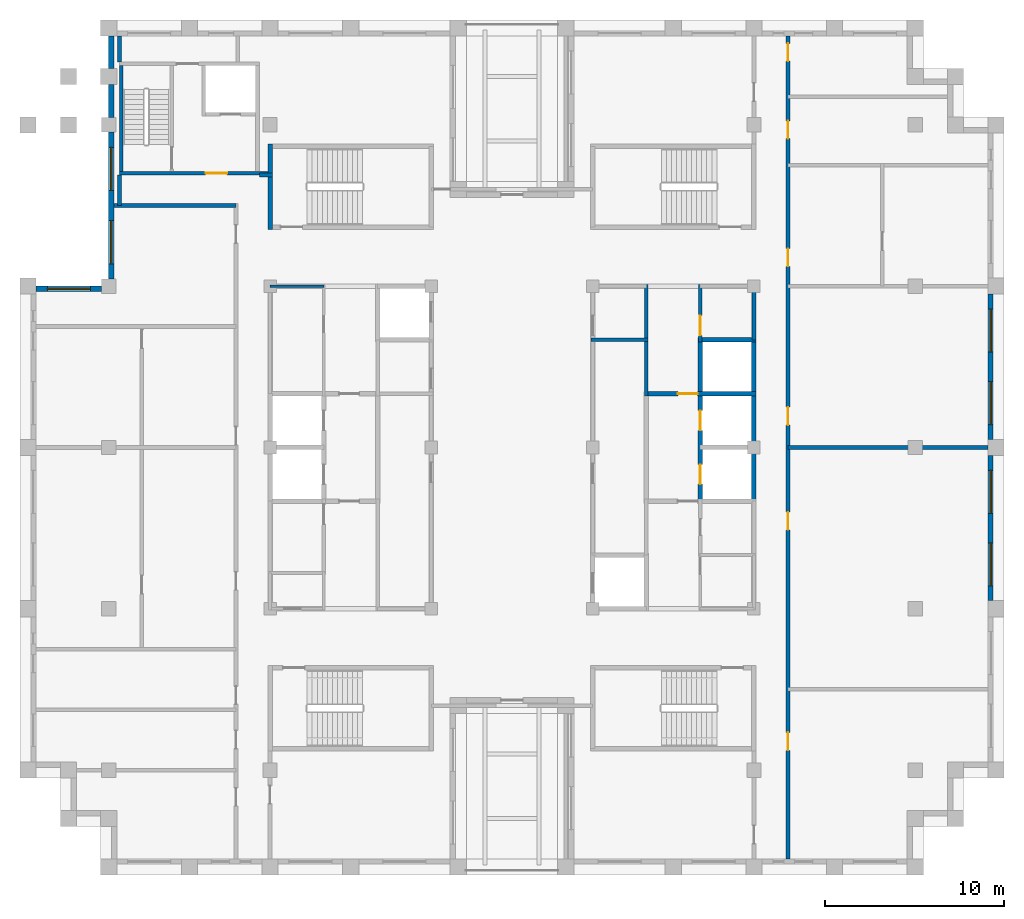
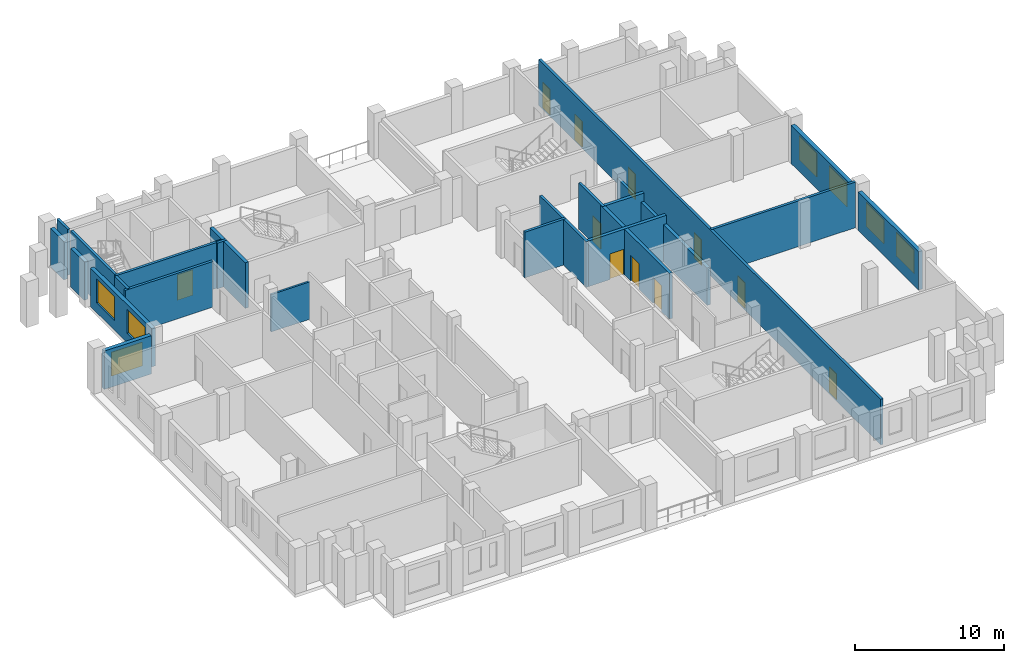
# One storey, part 5 of 9: 24 walls, 11 doors, 7 windows, 18 openings.
"""IFC4 building model written with IfcOpenShell, lengths in metres."""

from ifc_helpers import new_model, si_unit, direction, frame, frame_2d, origin, place, context, subcontext, project, spatial, rectangle, extrude, material, layer, layer_set, type_object, element, fill, save


model = new_model("IFC4")

# Units and contexts
model_context = context("Model", 3, precision=1e-05, world=origin(), true_north=direction((0.0, 1.0)))
body_context = subcontext(model_context, "Body", "Model", "MODEL_VIEW")
ifc_project = project(units=[si_unit("LENGTHUNIT", "METRE"), si_unit("AREAUNIT", "SQUARE_METRE"), si_unit("VOLUMEUNIT", "CUBIC_METRE"), si_unit("PLANEANGLEUNIT", "RADIAN"), si_unit("MASSUNIT", "GRAM", prefix="KILO")], contexts=[model_context])

# Site, building, storey
site_placement = place(None, origin())
site = spatial("IfcSite", under=ifc_project, at=site_placement, CompositionType="ELEMENT")
building_placement = place(site_placement, origin())
building = spatial("IfcBuilding", under=site, at=building_placement, Name="Corbelhall Arena Tower", CompositionType="ELEMENT")
storey_placement = place(building_placement, frame((0.0, 0.0, 300.0)))
storey = spatial("IfcBuildingStorey", under=building, at=storey_placement, Name="L65", CompositionType="ELEMENT", Elevation=300.0)

# Wall, openings, windows
ifc_material_1 = material(Name="Precast concrete C40/50 with granite facing", Category="masonry")
ifc_layer_1 = layer(ifc_material_1, 0.300048828125)
ifc_layer_set_1 = layer_set([ifc_layer_1], Name="EV-IW1 Infill panel 300")
wall_type_1 = type_object("IfcWallType", Name="EV-IW1 Infill panel 300", PredefinedType="SOLIDWALL", material=ifc_layer_set_1)
wall_1_placement = place(storey_placement, frame((26.699951171875, -8.550048828125, 0.0), z_axis=(0.0, 0.0, 1.0), x_axis=(0.0, 1.0, 0.0)))
wall_1 = element("IfcWall", 1, at=wall_1_placement, inside=storey, type_object=wall_type_1, Name="Infill panel IW1", PredefinedType="SOLIDWALL", context=body_context, shape_type="SweptSolid", body=[
    extrude(rectangle(XDim=8.10009765625, YDim=0.300048828125, at=frame_2d((4.050048828125, 0.0))), origin(), (0.0, 0.0, 1.0), 3.139892578125),
])
opening_1_placement = place(wall_1_placement, frame((0.824951171875, 0.0, 0.800048828125)))
opening_1 = element("IfcOpeningElement", 2, at=opening_1_placement, cuts=wall_1, Name="Opening WN1", PredefinedType="OPENING", context=body_context, shape_type="SweptSolid", body=[
    extrude(rectangle(XDim=2.39990234375, YDim=1.949951171875, at=frame_2d((1.199951171875, 0.97509765625))), frame((0.0, 0.14990234375, 0.0), z_axis=(0.0, -1.0, 0.0), x_axis=(1.0, 0.0, 0.0)), (0.0, 0.0, 1.0), 0.300048828125),
])
opening_2_placement = place(wall_1_placement, frame((4.875, 0.0, 0.800048828125)))
opening_2 = element("IfcOpeningElement", 3, at=opening_2_placement, cuts=wall_1, Name="Opening WN1", PredefinedType="OPENING", context=body_context, shape_type="SweptSolid", body=[
    extrude(rectangle(XDim=2.39990234375, YDim=1.949951171875, at=frame_2d((1.199951171875, 0.97509765625))), frame((0.0, 0.14990234375, 0.0), z_axis=(0.0, -1.0, 0.0), x_axis=(1.0, 0.0, 0.0)), (0.0, 0.0, 1.0), 0.300048828125),
])
ifc_material_2 = material(Name="Aluminium black anodised", Category="aluminium")
window_type = type_object("IfcWindowType", Name="EV-WN1 Office window", PartitioningType="SINGLE_PANEL", PredefinedType="WINDOW", material=ifc_material_2)
window_1_placement = place(opening_1_placement, origin())
window_1 = element("IfcWindow", 4, at=window_1_placement, inside=storey, type_object=window_type, Name="Window WN1", OverallHeight=1.949951171875, OverallWidth=2.39990234375, PartitioningType="SINGLE_PANEL", PredefinedType="WINDOW", context=body_context, shape_type="SweptSolid", body=[
    extrude(rectangle(XDim=2.39990234375, YDim=1.949951171875, at=frame_2d((1.199951171875, 0.97509765625))), frame((0.0, 0.030029296875, 0.0), z_axis=(0.0, -1.0, 0.0), x_axis=(1.0, 0.0, 0.0)), (0.0, 0.0, 1.0), 0.06005859375),
])
fill(opening_1, window_1)
window_2_placement = place(opening_2_placement, origin())
window_2 = element("IfcWindow", 5, at=window_2_placement, inside=storey, type_object=window_type, Name="Window WN1", OverallHeight=1.949951171875, OverallWidth=2.39990234375, PartitioningType="SINGLE_PANEL", PredefinedType="WINDOW", context=body_context, shape_type="SweptSolid", body=[
    extrude(rectangle(XDim=2.39990234375, YDim=1.949951171875, at=frame_2d((1.199951171875, 0.97509765625))), frame((0.0, 0.030029296875, 0.0), z_axis=(0.0, -1.0, 0.0), x_axis=(1.0, 0.0, 0.0)), (0.0, 0.0, 1.0), 0.06005859375),
])
fill(opening_2, window_2)

wall_2_placement = place(storey_placement, frame((26.699951171875, 0.449951171875, 0.0), z_axis=(0.0, 0.0, 1.0), x_axis=(0.0, 1.0, 0.0)))
wall_2 = element("IfcWall", 6, at=wall_2_placement, inside=storey, type_object=wall_type_1, Name="Infill panel IW1", PredefinedType="SOLIDWALL", context=body_context, shape_type="SweptSolid", body=[
    extrude(rectangle(XDim=8.10009765625, YDim=0.300048828125, at=frame_2d((4.050048828125, 0.0))), origin(), (0.0, 0.0, 1.0), 3.139892578125),
])
opening_3_placement = place(wall_2_placement, frame((0.824951171875, 0.0, 0.800048828125)))
opening_3 = element("IfcOpeningElement", 7, at=opening_3_placement, cuts=wall_2, Name="Opening WN1", PredefinedType="OPENING", context=body_context, shape_type="SweptSolid", body=[
    extrude(rectangle(XDim=2.39990234375, YDim=1.949951171875, at=frame_2d((1.199951171875, 0.97509765625))), frame((0.0, 0.14990234375, 0.0), z_axis=(0.0, -1.0, 0.0), x_axis=(1.0, 0.0, 0.0)), (0.0, 0.0, 1.0), 0.300048828125),
])
opening_4_placement = place(wall_2_placement, frame((4.875, 0.0, 0.800048828125)))
opening_4 = element("IfcOpeningElement", 8, at=opening_4_placement, cuts=wall_2, Name="Opening WN1", PredefinedType="OPENING", context=body_context, shape_type="SweptSolid", body=[
    extrude(rectangle(XDim=2.39990234375, YDim=1.949951171875, at=frame_2d((1.199951171875, 0.97509765625))), frame((0.0, 0.14990234375, 0.0), z_axis=(0.0, -1.0, 0.0), x_axis=(1.0, 0.0, 0.0)), (0.0, 0.0, 1.0), 0.300048828125),
])
window_3_placement = place(opening_3_placement, origin())
window_3 = element("IfcWindow", 9, at=window_3_placement, inside=storey, type_object=window_type, Name="Window WN1", OverallHeight=1.949951171875, OverallWidth=2.39990234375, PartitioningType="SINGLE_PANEL", PredefinedType="WINDOW", context=body_context, shape_type="SweptSolid", body=[
    extrude(rectangle(XDim=2.39990234375, YDim=1.949951171875, at=frame_2d((1.199951171875, 0.97509765625))), frame((0.0, 0.030029296875, 0.0), z_axis=(0.0, -1.0, 0.0), x_axis=(1.0, 0.0, 0.0)), (0.0, 0.0, 1.0), 0.06005859375),
])
fill(opening_3, window_3)
window_4_placement = place(opening_4_placement, origin())
window_4 = element("IfcWindow", 10, at=window_4_placement, inside=storey, type_object=window_type, Name="Window WN1", OverallHeight=1.949951171875, OverallWidth=2.39990234375, PartitioningType="SINGLE_PANEL", PredefinedType="WINDOW", context=body_context, shape_type="SweptSolid", body=[
    extrude(rectangle(XDim=2.39990234375, YDim=1.949951171875, at=frame_2d((1.199951171875, 0.97509765625))), frame((0.0, 0.030029296875, 0.0), z_axis=(0.0, -1.0, 0.0), x_axis=(1.0, 0.0, 0.0)), (0.0, 0.0, 1.0), 0.06005859375),
])
fill(opening_4, window_4)

wall_3_placement = place(storey_placement, frame((-22.35009765625, 17.60009765625, 0.0), z_axis=(0.0, 0.0, 1.0), x_axis=(0.0, -1.0, 0.0)))
wall_3 = element("IfcWall", 11, at=wall_3_placement, inside=storey, type_object=wall_type_1, Name="Infill panel IW1", PredefinedType="SOLIDWALL", context=body_context, shape_type="SweptSolid", body=[
    extrude(rectangle(XDim=8.2001953125, YDim=0.300048828125, at=frame_2d((4.10009765625, 0.0))), origin(), (0.0, 0.0, 1.0), 3.139892578125),
])
opening_5_placement = place(wall_3_placement, frame((0.85009765625, 0.0, 0.800048828125)))
opening_5 = element("IfcOpeningElement", 12, at=opening_5_placement, cuts=wall_3, Name="Opening WN1", PredefinedType="OPENING", context=body_context, shape_type="SweptSolid", body=[
    extrude(rectangle(XDim=2.39990234375, YDim=1.949951171875, at=frame_2d((1.199951171875, 0.97509765625))), frame((0.0, 0.14990234375, 0.0), z_axis=(0.0, -1.0, 0.0), x_axis=(1.0, 0.0, 0.0)), (0.0, 0.0, 1.0), 0.300048828125),
])
opening_6_placement = place(wall_3_placement, frame((4.949951171875, 0.0, 0.800048828125)))
opening_6 = element("IfcOpeningElement", 13, at=opening_6_placement, cuts=wall_3, Name="Opening WN1", PredefinedType="OPENING", context=body_context, shape_type="SweptSolid", body=[
    extrude(rectangle(XDim=2.39990234375, YDim=1.949951171875, at=frame_2d((1.199951171875, 0.97509765625))), frame((0.0, 0.14990234375, 0.0), z_axis=(0.0, -1.0, 0.0), x_axis=(1.0, 0.0, 0.0)), (0.0, 0.0, 1.0), 0.300048828125),
])
window_5_placement = place(opening_5_placement, origin())
window_5 = element("IfcWindow", 14, at=window_5_placement, inside=storey, type_object=window_type, Name="Window WN1", OverallHeight=1.949951171875, OverallWidth=2.39990234375, PartitioningType="SINGLE_PANEL", PredefinedType="WINDOW", context=body_context, shape_type="SweptSolid", body=[
    extrude(rectangle(XDim=2.39990234375, YDim=1.949951171875, at=frame_2d((1.199951171875, 0.97509765625))), frame((0.0, 0.030029296875, 0.0), z_axis=(0.0, -1.0, 0.0), x_axis=(1.0, 0.0, 0.0)), (0.0, 0.0, 1.0), 0.06005859375),
])
fill(opening_5, window_5)
window_6_placement = place(opening_6_placement, origin())
window_6 = element("IfcWindow", 15, at=window_6_placement, inside=storey, type_object=window_type, Name="Window WN1", OverallHeight=1.949951171875, OverallWidth=2.39990234375, PartitioningType="SINGLE_PANEL", PredefinedType="WINDOW", context=body_context, shape_type="SweptSolid", body=[
    extrude(rectangle(XDim=2.39990234375, YDim=1.949951171875, at=frame_2d((1.199951171875, 0.97509765625))), frame((0.0, 0.030029296875, 0.0), z_axis=(0.0, -1.0, 0.0), x_axis=(1.0, 0.0, 0.0)), (0.0, 0.0, 1.0), 0.06005859375),
])
fill(opening_6, window_6)

# Walls
wall_4_placement = place(storey_placement, frame((-22.35009765625, 20.25, 0.0), z_axis=(0.0, 0.0, 1.0), x_axis=(0.0, -1.0, 0.0)))
element("IfcWall", 16, at=wall_4_placement, inside=storey, type_object=wall_type_1, Name="Infill panel IW1", PredefinedType="SOLIDWALL", context=body_context, shape_type="SweptSolid", body=[
    extrude(rectangle(XDim=1.85009765625, YDim=0.300048828125, at=frame_2d((0.925048828125, 0.0))), origin(), (0.0, 0.0, 1.0), 3.139892578125),
])
wall_5_placement = place(storey_placement, frame((-22.35009765625, 22.949951171875, 0.0), z_axis=(0.0, 0.0, 1.0), x_axis=(0.0, -1.0, 0.0)))
element("IfcWall", 17, at=wall_5_placement, inside=storey, type_object=wall_type_1, Name="Infill panel IW1", PredefinedType="SOLIDWALL", context=body_context, shape_type="SweptSolid", body=[
    extrude(rectangle(XDim=1.800048828125, YDim=0.300048828125, at=frame_2d((0.89990234375, 0.0))), origin(), (0.0, 0.0, 1.0), 3.139892578125),
])

# Wall, opening, window
wall_6_placement = place(storey_placement, frame((-22.89990234375, 8.85009765625, 0.0), z_axis=(0.0, 0.0, 1.0), x_axis=(-1.0, 0.0, 0.0)))
wall_6 = element("IfcWall", 18, at=wall_6_placement, inside=storey, type_object=wall_type_1, Name="Infill panel IW1", PredefinedType="SOLIDWALL", context=body_context, shape_type="SweptSolid", body=[
    extrude(rectangle(XDim=3.650146484375, YDim=0.300048828125, at=frame_2d((1.8251953125, 0.0))), origin(), (0.0, 0.0, 1.0), 3.139892578125),
])
opening_7_placement = place(wall_6_placement, frame((0.625, 0.0, 0.800048828125)))
opening_7 = element("IfcOpeningElement", 19, at=opening_7_placement, cuts=wall_6, Name="Opening WN1", PredefinedType="OPENING", context=body_context, shape_type="SweptSolid", body=[
    extrude(rectangle(XDim=2.39990234375, YDim=1.949951171875, at=frame_2d((1.199951171875, 0.97509765625))), frame((0.0, 0.14990234375, 0.0), z_axis=(0.0, -1.0, 0.0), x_axis=(1.0, 0.0, 0.0)), (0.0, 0.0, 1.0), 0.300048828125),
])
window_7_placement = place(opening_7_placement, origin())
window_7 = element("IfcWindow", 20, at=window_7_placement, inside=storey, type_object=window_type, Name="Window WN1", OverallHeight=1.949951171875, OverallWidth=2.39990234375, PartitioningType="SINGLE_PANEL", PredefinedType="WINDOW", context=body_context, shape_type="SweptSolid", body=[
    extrude(rectangle(XDim=2.39990234375, YDim=1.949951171875, at=frame_2d((1.199951171875, 0.97509765625))), frame((0.0, 0.030029296875, 0.0), z_axis=(0.0, -1.0, 0.0), x_axis=(1.0, 0.0, 0.0)), (0.0, 0.0, 1.0), 0.06005859375),
])
fill(opening_7, window_7)

# Walls
ifc_material_3 = material(Name="Gypsum board on steel stud, acoustic", Category="steel")
ifc_layer_2 = layer(ifc_material_3, 0.199951171875)
ifc_layer_set_2 = layer_set([ifc_layer_2], Name="IN-W-DM200")
wall_type_2 = type_object("IfcWallType", Name="IN-W-DM200", PredefinedType="PARTITIONING", material=ifc_layer_set_2)
wall_7_placement = place(storey_placement, frame((-21.89990234375, 13.5, 0.0), z_axis=(0.0, 0.0, 1.0), x_axis=(0.0, 1.0, 0.0)))
element("IfcWall", 21, at=wall_7_placement, inside=storey, type_object=wall_type_2, Name="Partition 005", PredefinedType="PARTITIONING", context=body_context, shape_type="SweptSolid", body=[
    extrude(rectangle(XDim=1.699951171875, YDim=0.199951171875, at=frame_2d((0.85009765625, 0.0))), origin(), (0.0, 0.0, 1.0), 3.739990234375),
])
wall_8_placement = place(storey_placement, frame((-21.89990234375, 21.5, 0.0), z_axis=(0.0, 0.0, 1.0), x_axis=(0.0, 1.0, 0.0)))
element("IfcWall", 22, at=wall_8_placement, inside=storey, type_object=wall_type_2, Name="Partition 006", PredefinedType="PARTITIONING", context=body_context, shape_type="SweptSolid", body=[
    extrude(rectangle(XDim=1.449951171875, YDim=0.199951171875, at=frame_2d((0.72509765625, 0.0))), origin(), (0.0, 0.0, 1.0), 3.739990234375),
])
wall_9_placement = place(storey_placement, frame((-15.39990234375, 13.5, 0.0), z_axis=(0.0, 0.0, 1.0), x_axis=(-1.0, 0.0, 0.0)))
element("IfcWall", 23, at=wall_9_placement, inside=storey, type_object=wall_type_2, Name="Partition 010", PredefinedType="PARTITIONING", context=body_context, shape_type="SweptSolid", body=[
    extrude(rectangle(XDim=6.800048828125, YDim=0.199951171875, at=frame_2d((3.39990234375, 0.0))), origin(), (0.0, 0.0, 1.0), 3.739990234375),
])
wall_10_placement = place(storey_placement, frame((-14.10009765625, 15.199951171875, 0.0), z_axis=(0.0, 0.0, 1.0), x_axis=(1.0, 0.0, 0.0)))
element("IfcWall", 24, at=wall_10_placement, inside=storey, type_object=wall_type_2, Name="Partition 012", PredefinedType="PARTITIONING", context=body_context, shape_type="SweptSolid", body=[
    extrude(rectangle(XDim=0.72509765625, YDim=0.199951171875, at=frame_2d((0.362548828125, 0.0))), origin(), (0.0, 0.0, 1.0), 3.739990234375),
])

# Wall, openings, doors
wall_11_placement = place(storey_placement, frame((15.39990234375, 22.949951171875, 0.0), z_axis=(0.0, 0.0, 1.0), x_axis=(0.0, -1.0, 0.0)))
wall_11 = element("IfcWall", 25, at=wall_11_placement, inside=storey, type_object=wall_type_2, Name="Partition 023", PredefinedType="PARTITIONING", context=body_context, shape_type="SweptSolid", body=[
    extrude(rectangle(XDim=45.89990234375, YDim=0.199951171875, at=frame_2d((22.949951171875, 0.0))), origin(), (0.0, 0.0, 1.0), 3.739990234375),
])
opening_8_placement = place(wall_11_placement, frame((20.699951171875, 0.0, 0.0)))
opening_8 = element("IfcOpeningElement", 26, at=opening_8_placement, cuts=wall_11, Name="Opening 21029", PredefinedType="OPENING", context=body_context, shape_type="SweptSolid", body=[
    extrude(rectangle(XDim=1.0, YDim=2.10009765625, at=frame_2d((0.5, 1.050048828125))), frame((0.0, 0.10009765625, 0.0), z_axis=(0.0, -1.0, 0.0), x_axis=(1.0, 0.0, 0.0)), (0.0, 0.0, 1.0), 0.199951171875),
])
opening_9_placement = place(wall_11_placement, frame((11.85009765625, 0.0, 0.0)))
opening_9 = element("IfcOpeningElement", 27, at=opening_9_placement, cuts=wall_11, Name="Opening 21030", PredefinedType="OPENING", context=body_context, shape_type="SweptSolid", body=[
    extrude(rectangle(XDim=1.0, YDim=2.10009765625, at=frame_2d((0.5, 1.050048828125))), frame((0.0, 0.10009765625, 0.0), z_axis=(0.0, -1.0, 0.0), x_axis=(1.0, 0.0, 0.0)), (0.0, 0.0, 1.0), 0.199951171875),
])
opening_10_placement = place(wall_11_placement, frame((4.72509765625, 0.0, 0.0)))
opening_10 = element("IfcOpeningElement", 28, at=opening_10_placement, cuts=wall_11, Name="Opening 21032", PredefinedType="OPENING", context=body_context, shape_type="SweptSolid", body=[
    extrude(rectangle(XDim=1.0, YDim=2.10009765625, at=frame_2d((0.5, 1.050048828125))), frame((0.0, 0.10009765625, 0.0), z_axis=(0.0, -1.0, 0.0), x_axis=(1.0, 0.0, 0.0)), (0.0, 0.0, 1.0), 0.199951171875),
])
opening_11_placement = place(wall_11_placement, frame((0.39990234375, 0.0, 0.0)))
opening_11 = element("IfcOpeningElement", 29, at=opening_11_placement, cuts=wall_11, Name="Opening 21033", PredefinedType="OPENING", context=body_context, shape_type="SweptSolid", body=[
    extrude(rectangle(XDim=1.0, YDim=2.10009765625, at=frame_2d((0.5, 1.050048828125))), frame((0.0, 0.10009765625, 0.0), z_axis=(0.0, -1.0, 0.0), x_axis=(1.0, 0.0, 0.0)), (0.0, 0.0, 1.0), 0.199951171875),
])
opening_12_placement = place(wall_11_placement, frame((38.85009765625, 0.0, 0.0)))
opening_12 = element("IfcOpeningElement", 30, at=opening_12_placement, cuts=wall_11, Name="Opening 21034", PredefinedType="OPENING", context=body_context, shape_type="SweptSolid", body=[
    extrude(rectangle(XDim=1.0, YDim=2.10009765625, at=frame_2d((0.5, 1.050048828125))), frame((0.0, 0.10009765625, 0.0), z_axis=(0.0, -1.0, 0.0), x_axis=(1.0, 0.0, 0.0)), (0.0, 0.0, 1.0), 0.199951171875),
])
opening_13_placement = place(wall_11_placement, frame((26.550048828125, 0.0, 0.0)))
opening_13 = element("IfcOpeningElement", 31, at=opening_13_placement, cuts=wall_11, Name="Opening 21035", PredefinedType="OPENING", context=body_context, shape_type="SweptSolid", body=[
    extrude(rectangle(XDim=1.0, YDim=2.10009765625, at=frame_2d((0.5, 1.050048828125))), frame((0.0, 0.10009765625, 0.0), z_axis=(0.0, -1.0, 0.0), x_axis=(1.0, 0.0, 0.0)), (0.0, 0.0, 1.0), 0.199951171875),
])
ifc_material_4 = material(Name="Steel door set", Category="steel")
door_type_1 = type_object("IfcDoorType", Name="IN-D-SW100", OperationType="NOTDEFINED", PredefinedType="DOOR", material=ifc_material_4)
door_1_placement = place(opening_8_placement, origin())
door_1 = element("IfcDoor", 32, at=door_1_placement, inside=storey, type_object=door_type_1, Name="Door 029", OperationType="SINGLE_SWING_RIGHT", OverallHeight=2.10009765625, OverallWidth=1.0, PredefinedType="DOOR", context=body_context, shape_type="SweptSolid", body=[
    extrude(rectangle(XDim=1.0, YDim=2.10009765625, at=frame_2d((0.5, 1.050048828125))), frame((0.0, 0.02490234375, 0.0), z_axis=(0.0, -1.0, 0.0), x_axis=(1.0, 0.0, 0.0)), (0.0, 0.0, 1.0), 0.050048828125),
])
fill(opening_8, door_1)
door_2_placement = place(opening_9_placement, origin())
door_2 = element("IfcDoor", 33, at=door_2_placement, inside=storey, type_object=door_type_1, Name="Door 030", OperationType="SINGLE_SWING_LEFT", OverallHeight=2.10009765625, OverallWidth=1.0, PredefinedType="DOOR", context=body_context, shape_type="SweptSolid", body=[
    extrude(rectangle(XDim=1.0, YDim=2.10009765625, at=frame_2d((0.5, 1.050048828125))), frame((0.0, 0.02490234375, 0.0), z_axis=(0.0, -1.0, 0.0), x_axis=(1.0, 0.0, 0.0)), (0.0, 0.0, 1.0), 0.050048828125),
])
fill(opening_9, door_2)
door_3_placement = place(opening_10_placement, origin())
door_3 = element("IfcDoor", 34, at=door_3_placement, inside=storey, type_object=door_type_1, Name="Door 032", OperationType="SINGLE_SWING_LEFT", OverallHeight=2.10009765625, OverallWidth=1.0, PredefinedType="DOOR", context=body_context, shape_type="SweptSolid", body=[
    extrude(rectangle(XDim=1.0, YDim=2.10009765625, at=frame_2d((0.5, 1.050048828125))), frame((0.0, 0.02490234375, 0.0), z_axis=(0.0, -1.0, 0.0), x_axis=(1.0, 0.0, 0.0)), (0.0, 0.0, 1.0), 0.050048828125),
])
fill(opening_10, door_3)
door_4_placement = place(opening_11_placement, origin())
door_4 = element("IfcDoor", 35, at=door_4_placement, inside=storey, type_object=door_type_1, Name="Door 033", OperationType="SINGLE_SWING_RIGHT", OverallHeight=2.10009765625, OverallWidth=1.0, PredefinedType="DOOR", context=body_context, shape_type="SweptSolid", body=[
    extrude(rectangle(XDim=1.0, YDim=2.10009765625, at=frame_2d((0.5, 1.050048828125))), frame((0.0, 0.02490234375, 0.0), z_axis=(0.0, -1.0, 0.0), x_axis=(1.0, 0.0, 0.0)), (0.0, 0.0, 1.0), 0.050048828125),
])
fill(opening_11, door_4)
door_5_placement = place(opening_12_placement, origin())
door_5 = element("IfcDoor", 36, at=door_5_placement, inside=storey, type_object=door_type_1, Name="Door 034", OperationType="SINGLE_SWING_LEFT", OverallHeight=2.10009765625, OverallWidth=1.0, PredefinedType="DOOR", context=body_context, shape_type="SweptSolid", body=[
    extrude(rectangle(XDim=1.0, YDim=2.10009765625, at=frame_2d((0.5, 1.050048828125))), frame((0.0, 0.02490234375, 0.0), z_axis=(0.0, -1.0, 0.0), x_axis=(1.0, 0.0, 0.0)), (0.0, 0.0, 1.0), 0.050048828125),
])
fill(opening_12, door_5)
door_6_placement = place(opening_13_placement, origin())
door_6 = element("IfcDoor", 37, at=door_6_placement, inside=storey, type_object=door_type_1, Name="Door 035", OperationType="SINGLE_SWING_RIGHT", OverallHeight=2.10009765625, OverallWidth=1.0, PredefinedType="DOOR", context=body_context, shape_type="SweptSolid", body=[
    extrude(rectangle(XDim=1.0, YDim=2.10009765625, at=frame_2d((0.5, 1.050048828125))), frame((0.0, 0.02490234375, 0.0), z_axis=(0.0, -1.0, 0.0), x_axis=(1.0, 0.0, 0.0)), (0.0, 0.0, 1.0), 0.050048828125),
])
fill(opening_13, door_6)

# Wall
wall_12_placement = place(storey_placement, frame((26.550048828125, 0.0, 0.0), z_axis=(0.0, 0.0, 1.0), x_axis=(-1.0, 0.0, 0.0)))
element("IfcWall", 38, at=wall_12_placement, inside=storey, type_object=wall_type_2, Name="Partition 028", PredefinedType="PARTITIONING", context=body_context, shape_type="SweptSolid", body=[
    extrude(rectangle(XDim=11.150146484375, YDim=0.199951171875, at=frame_2d((5.5751953125, 0.0))), origin(), (0.0, 0.0, 1.0), 3.739990234375),
])

# Wall, opening, door
ifc_material_5 = material(Name="Concrete C40/50", Category="concrete")
ifc_layer_3 = layer(ifc_material_5, 0.199951171875)
ifc_layer_set_3 = layer_set([ifc_layer_3], Name="IN-W-EAR200")
wall_type_3 = type_object("IfcWallType", Name="IN-W-EAR200", PredefinedType="SOLIDWALL", material=ifc_layer_set_3)
wall_13_placement = place(storey_placement, frame((-21.89990234375, 15.300048828125, 0.0), z_axis=(0.0, 0.0, 1.0), x_axis=(1.0, 0.0, 0.0)))
wall_13 = element("IfcWall", 39, at=wall_13_placement, inside=storey, type_object=wall_type_3, Name="Fire service turret wall south", PredefinedType="SOLIDWALL", context=body_context, shape_type="SweptSolid", body=[
    extrude(rectangle(XDim=8.27490234375, YDim=0.199951171875, at=frame_2d((4.137451171875, 0.0))), origin(), (0.0, 0.0, 1.0), 3.739990234375),
])
opening_14_placement = place(wall_13_placement, frame((4.800048828125, 0.0, 0.0)))
opening_14 = element("IfcOpeningElement", 40, at=opening_14_placement, cuts=wall_13, Name="Opening E212", PredefinedType="OPENING", context=body_context, shape_type="SweptSolid", body=[
    extrude(rectangle(XDim=1.199951171875, YDim=2.10009765625, at=frame_2d((0.60009765625, 1.050048828125))), frame((0.0, 0.10009765625, 0.0), z_axis=(0.0, -1.0, 0.0), x_axis=(1.0, 0.0, 0.0)), (0.0, 0.0, 1.0), 0.199951171875),
])
door_type_2 = type_object("IfcDoorType", Name="IN-D-ST120", OperationType="NOTDEFINED", PredefinedType="DOOR", material=ifc_material_4)
door_7_placement = place(opening_14_placement, origin())
door_7 = element("IfcDoor", 41, at=door_7_placement, inside=storey, type_object=door_type_2, Name="Door from fire service lift lobby to circulation", OperationType="SINGLE_SWING_RIGHT", OverallHeight=2.10009765625, OverallWidth=1.199951171875, PredefinedType="DOOR", context=body_context, shape_type="SweptSolid", body=[
    extrude(rectangle(XDim=1.199951171875, YDim=2.10009765625, at=frame_2d((0.60009765625, 1.050048828125))), frame((0.0, 0.02490234375, 0.0), z_axis=(0.0, -1.0, 0.0), x_axis=(1.0, 0.0, 0.0)), (0.0, 0.0, 1.0), 0.050048828125),
])
fill(opening_14, door_7)

# Walls
wall_14_placement = place(storey_placement, frame((-21.800048828125, 15.39990234375, 0.0), z_axis=(0.0, 0.0, 1.0), x_axis=(0.0, 1.0, 0.0)))
element("IfcWall", 42, at=wall_14_placement, inside=storey, type_object=wall_type_3, Name="Fire service turret wall west", PredefinedType="SOLIDWALL", context=body_context, shape_type="SweptSolid", body=[
    extrude(rectangle(XDim=5.900146484375, YDim=0.199951171875, at=frame_2d((2.9501953125, 0.0))), origin(), (0.0, 0.0, 1.0), 3.739990234375),
])
ifc_material_6 = material(Name="Concrete block wall", Category="concrete")
ifc_layer_4 = layer(ifc_material_6, 0.199951171875)
ifc_layer_set_4 = layer_set([ifc_layer_4], Name="IN-W-RS200")
wall_type_4 = type_object("IfcWallType", Name="IN-W-RS200", PredefinedType="SOLIDWALL", material=ifc_layer_set_4)
wall_15_placement = place(storey_placement, frame((4.39990234375, 6.0, 0.0), z_axis=(0.0, 0.0, 1.0), x_axis=(1.0, 0.0, 0.0)))
element("IfcWall", 43, at=wall_15_placement, inside=storey, type_object=wall_type_4, Name="Partition 036", PredefinedType="SOLIDWALL", context=body_context, shape_type="SweptSolid", body=[
    extrude(rectangle(XDim=3.2001953125, YDim=0.199951171875, at=frame_2d((1.60009765625, 0.0))), origin(), (0.0, 0.0, 1.0), 3.739990234375),
])
wall_16_placement = place(storey_placement, frame((7.5, 9.10009765625, 0.0), z_axis=(0.0, 0.0, 1.0), x_axis=(0.0, -1.0, 0.0)))
element("IfcWall", 44, at=wall_16_placement, inside=storey, type_object=wall_type_4, Name="Partition 040", PredefinedType="SOLIDWALL", context=body_context, shape_type="SweptSolid", body=[
    extrude(rectangle(XDim=6.22509765625, YDim=0.199951171875, at=frame_2d((3.112548828125, 0.0))), origin(), (0.0, 0.0, 1.0), 3.739990234375),
])

# Wall, opening, door
wall_17_placement = place(storey_placement, frame((10.5, 9.10009765625, 0.0), z_axis=(0.0, 0.0, 1.0), x_axis=(0.0, -1.0, 0.0)))
wall_17 = element("IfcWall", 45, at=wall_17_placement, inside=storey, type_object=wall_type_4, Name="Partition 043", PredefinedType="SOLIDWALL", context=body_context, shape_type="SweptSolid", body=[
    extrude(rectangle(XDim=3.22509765625, YDim=0.199951171875, at=frame_2d((1.612548828125, 0.0))), origin(), (0.0, 0.0, 1.0), 3.739990234375),
])
opening_15_placement = place(wall_17_placement, frame((1.75, 0.0, 0.0)))
opening_15 = element("IfcOpeningElement", 46, at=opening_15_placement, cuts=wall_17, Name="Opening 21013", PredefinedType="OPENING", context=body_context, shape_type="SweptSolid", body=[
    extrude(rectangle(XDim=1.10009765625, YDim=2.10009765625, at=frame_2d((0.550048828125, 1.050048828125))), frame((0.0, 0.10009765625, 0.0), z_axis=(0.0, -1.0, 0.0), x_axis=(1.0, 0.0, 0.0)), (0.0, 0.0, 1.0), 0.199951171875),
])
door_type_3 = type_object("IfcDoorType", Name="IN-D-FD110", OperationType="NOTDEFINED", PredefinedType="DOOR", material=ifc_material_4)
door_8_placement = place(opening_15_placement, origin())
door_8 = element("IfcDoor", 47, at=door_8_placement, inside=storey, type_object=door_type_3, Name="Door 013", OperationType="SINGLE_SWING_RIGHT", OverallHeight=2.10009765625, OverallWidth=1.10009765625, PredefinedType="DOOR", context=body_context, shape_type="SweptSolid", body=[
    extrude(rectangle(XDim=1.10009765625, YDim=2.10009765625, at=frame_2d((0.550048828125, 1.050048828125))), frame((0.0, 0.02490234375, 0.0), z_axis=(0.0, -1.0, 0.0), x_axis=(1.0, 0.0, 0.0)), (0.0, 0.0, 1.0), 0.050048828125),
])
fill(opening_15, door_8)

# Wall
ifc_layer_5 = layer(ifc_material_6, 0.199951171875)
ifc_layer_set_5 = layer_set([ifc_layer_5], Name="IN-W-RS200 under beam 678 mm")
wall_type_5 = type_object("IfcWallType", Name="IN-W-RS200 under beam 678 mm", PredefinedType="SOLIDWALL", material=ifc_layer_set_5)
wall_18_placement = place(storey_placement, frame((13.5, 9.10009765625, 0.0), z_axis=(0.0, 0.0, 1.0), x_axis=(0.0, -1.0, 0.0)))
element("IfcWall", 48, at=wall_18_placement, inside=storey, type_object=wall_type_5, Name="Partition 045", PredefinedType="SOLIDWALL", context=body_context, shape_type="SweptSolid", body=[
    extrude(rectangle(XDim=3.10009765625, YDim=0.199951171875, at=frame_2d((1.550048828125, 0.0))), origin(), (0.0, 0.0, 1.0), 3.061767578125),
])

# Wall, opening, door
ifc_layer_6 = layer(ifc_material_5, 0.25)
ifc_layer_set_6 = layer_set([ifc_layer_6], Name="IN-W-SH250")
wall_type_6 = type_object("IfcWallType", Name="IN-W-SH250", PredefinedType="SOLIDWALL", material=ifc_layer_set_6)
wall_19_placement = place(storey_placement, frame((7.5, 3.0, 0.0), z_axis=(0.0, 0.0, 1.0), x_axis=(1.0, 0.0, 0.0)))
wall_19 = element("IfcWall", 49, at=wall_19_placement, inside=storey, type_object=wall_type_6, Name="Shaft wall 061", PredefinedType="SOLIDWALL", context=body_context, shape_type="SweptSolid", body=[
    extrude(rectangle(XDim=6.125, YDim=0.25, at=frame_2d((3.0625, 0.0))), origin(), (0.0, 0.0, 1.0), 3.739990234375),
])
opening_16_placement = place(wall_19_placement, frame((1.75, 0.0, 0.0)))
opening_16 = element("IfcOpeningElement", 50, at=opening_16_placement, cuts=wall_19, Name="Opening 21011", PredefinedType="OPENING", context=body_context, shape_type="SweptSolid", body=[
    extrude(rectangle(XDim=1.10009765625, YDim=2.10009765625, at=frame_2d((0.550048828125, 1.050048828125))), frame((0.0, 0.125, 0.0), z_axis=(0.0, -1.0, 0.0), x_axis=(1.0, 0.0, 0.0)), (0.0, 0.0, 1.0), 0.25),
])
door_9_placement = place(opening_16_placement, origin())
door_9 = element("IfcDoor", 51, at=door_9_placement, inside=storey, type_object=door_type_3, Name="Door 011", OperationType="SINGLE_SWING_RIGHT", OverallHeight=2.10009765625, OverallWidth=1.10009765625, PredefinedType="DOOR", context=body_context, shape_type="SweptSolid", body=[
    extrude(rectangle(XDim=1.10009765625, YDim=2.10009765625, at=frame_2d((0.550048828125, 1.050048828125))), frame((0.0, 0.02490234375, 0.0), z_axis=(0.0, -1.0, 0.0), x_axis=(1.0, 0.0, 0.0)), (0.0, 0.0, 1.0), 0.050048828125),
])
fill(opening_16, door_9)

# Wall, openings, doors
wall_20_placement = place(storey_placement, frame((10.5, 6.125, 0.0), z_axis=(0.0, 0.0, 1.0), x_axis=(0.0, -1.0, 0.0)))
wall_20 = element("IfcWall", 52, at=wall_20_placement, inside=storey, type_object=wall_type_6, Name="Shaft wall 064", PredefinedType="SOLIDWALL", context=body_context, shape_type="SweptSolid", body=[
    extrude(rectangle(XDim=9.25, YDim=0.25, at=frame_2d((4.625, 0.0))), origin(), (0.0, 0.0, 1.0), 3.739990234375),
])
opening_17_placement = place(wall_20_placement, frame((7.074951171875, 0.0, 0.0)))
opening_17 = element("IfcOpeningElement", 53, at=opening_17_placement, cuts=wall_20, Name="Opening LD", PredefinedType="OPENING", context=body_context, shape_type="SweptSolid", body=[
    extrude(rectangle(XDim=1.10009765625, YDim=2.10009765625, at=frame_2d((0.550048828125, 1.050048828125))), frame((0.0, 0.125, 0.0), z_axis=(0.0, -1.0, 0.0), x_axis=(1.0, 0.0, 0.0)), (0.0, 0.0, 1.0), 0.25),
])
opening_18_placement = place(wall_20_placement, frame((4.074951171875, 0.0, 0.0)))
opening_18 = element("IfcOpeningElement", 54, at=opening_18_placement, cuts=wall_20, Name="Opening LD", PredefinedType="OPENING", context=body_context, shape_type="SweptSolid", body=[
    extrude(rectangle(XDim=1.10009765625, YDim=2.10009765625, at=frame_2d((0.550048828125, 1.050048828125))), frame((0.0, 0.125, 0.0), z_axis=(0.0, -1.0, 0.0), x_axis=(1.0, 0.0, 0.0)), (0.0, 0.0, 1.0), 0.25),
])
door_type_4 = type_object("IfcDoorType", Name="IN-D-LD110", OperationType="NOTDEFINED", PredefinedType="DOOR", material=ifc_material_4)
door_10_placement = place(opening_17_placement, origin())
door_10 = element("IfcDoor", 55, at=door_10_placement, inside=storey, type_object=door_type_4, Name="Landing door E3", OperationType="SLIDING_TO_LEFT", OverallHeight=2.10009765625, OverallWidth=1.10009765625, PredefinedType="DOOR", context=body_context, shape_type="SweptSolid", body=[
    extrude(rectangle(XDim=1.10009765625, YDim=2.10009765625, at=frame_2d((0.550048828125, 1.050048828125))), frame((0.0, 0.02490234375, 0.0), z_axis=(0.0, -1.0, 0.0), x_axis=(1.0, 0.0, 0.0)), (0.0, 0.0, 1.0), 0.050048828125),
])
fill(opening_17, door_10)
door_11_placement = place(opening_18_placement, origin())
door_11 = element("IfcDoor", 56, at=door_11_placement, inside=storey, type_object=door_type_4, Name="Landing door E4", OperationType="SLIDING_TO_LEFT", OverallHeight=2.10009765625, OverallWidth=1.10009765625, PredefinedType="DOOR", context=body_context, shape_type="SweptSolid", body=[
    extrude(rectangle(XDim=1.10009765625, YDim=2.10009765625, at=frame_2d((0.550048828125, 1.050048828125))), frame((0.0, 0.02490234375, 0.0), z_axis=(0.0, -1.0, 0.0), x_axis=(1.0, 0.0, 0.0)), (0.0, 0.0, 1.0), 0.050048828125),
])
fill(opening_18, door_11)

# Walls
wall_21_placement = place(storey_placement, frame((10.5, 6.0, 0.0), z_axis=(0.0, 0.0, 1.0), x_axis=(1.0, 0.0, 0.0)))
element("IfcWall", 57, at=wall_21_placement, inside=storey, type_object=wall_type_6, Name="Shaft wall 065", PredefinedType="SOLIDWALL", context=body_context, shape_type="SweptSolid", body=[
    extrude(rectangle(XDim=3.125, YDim=0.25, at=frame_2d((1.5625, 0.0))), origin(), (0.0, 0.0, 1.0), 3.739990234375),
])
ifc_layer_7 = layer(ifc_material_5, 0.25)
ifc_layer_set_7 = layer_set([ifc_layer_7], Name="IN-W-SH250 under beam 678 mm")
wall_type_7 = type_object("IfcWallType", Name="IN-W-SH250 under beam 678 mm", PredefinedType="SOLIDWALL", material=ifc_layer_set_7)
wall_22_placement = place(storey_placement, frame((13.5, 6.0, 0.0), z_axis=(0.0, 0.0, 1.0), x_axis=(0.0, -1.0, 0.0)))
element("IfcWall", 58, at=wall_22_placement, inside=storey, type_object=wall_type_7, Name="Shaft wall 066", PredefinedType="SOLIDWALL", context=body_context, shape_type="SweptSolid", body=[
    extrude(rectangle(XDim=9.0, YDim=0.25, at=frame_2d((4.5, 0.0))), origin(), (0.0, 0.0, 1.0), 3.061767578125),
])
ifc_layer_8 = layer(ifc_material_5, 0.25)
ifc_layer_set_8 = layer_set([ifc_layer_8], Name="IN-W-ST250")
wall_type_8 = type_object("IfcWallType", Name="IN-W-ST250", PredefinedType="SOLIDWALL", material=ifc_layer_set_8)
wall_23_placement = place(storey_placement, frame((-13.5, 12.175048828125, 0.0), z_axis=(0.0, 0.0, 1.0), x_axis=(0.0, 1.0, 0.0)))
element("IfcWall", 59, at=wall_23_placement, inside=storey, type_object=wall_type_8, Name="Shaft wall 069", PredefinedType="SOLIDWALL", context=body_context, shape_type="SweptSolid", body=[
    extrude(rectangle(XDim=4.75, YDim=0.25, at=frame_2d((2.375, 0.0))), origin(), (0.0, 0.0, 1.0), 3.739990234375),
])
ifc_material_7 = material(Name="Gypsum board on steel stud, moisture resistant", Category="steel")
ifc_layer_9 = layer(ifc_material_7, 0.14990234375)
ifc_layer_set_9 = layer_set([ifc_layer_9], Name="IN-W-WC150 under beam 678 mm")
wall_type_9 = type_object("IfcWallType", Name="IN-W-WC150 under beam 678 mm", PredefinedType="PARTITIONING", material=ifc_layer_set_9)
wall_24_placement = place(storey_placement, frame((-13.5, 9.0, 0.0), z_axis=(0.0, 0.0, 1.0), x_axis=(1.0, 0.0, 0.0)))
element("IfcWall", 60, at=wall_24_placement, inside=storey, type_object=wall_type_9, Name="Partition 086", PredefinedType="PARTITIONING", context=body_context, shape_type="SweptSolid", body=[
    extrude(rectangle(XDim=3.0, YDim=0.14990234375, at=frame_2d((1.5, 0.0))), origin(), (0.0, 0.0, 1.0), 3.061767578125),
])

save(model, "model.ifc")
